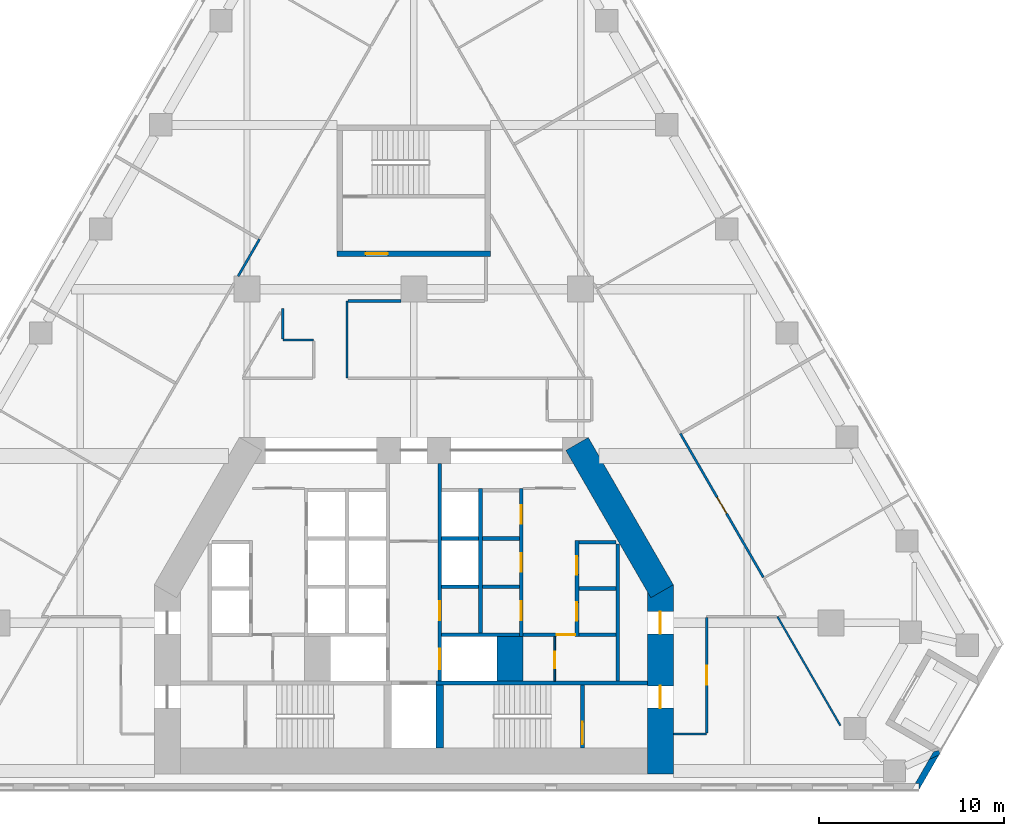
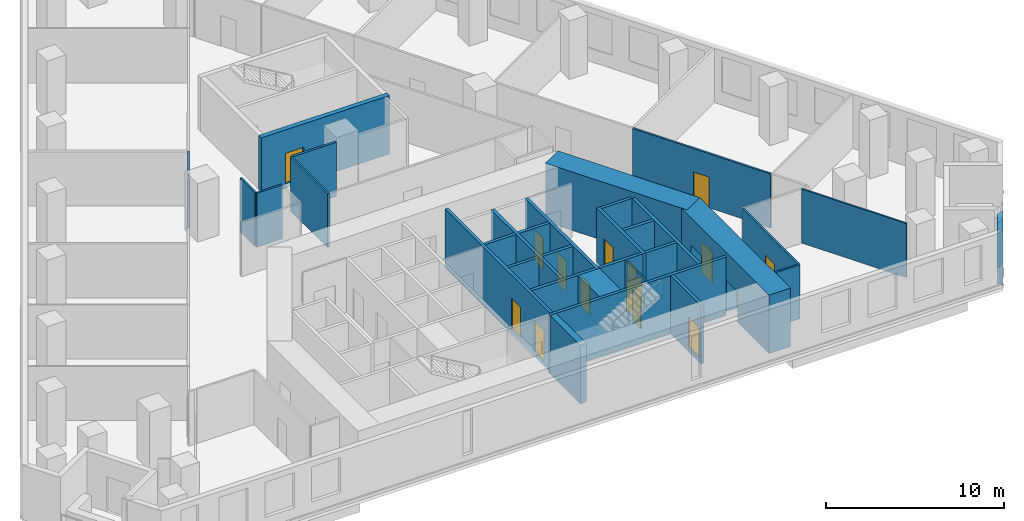
# One storey, part 6 of 11: 33 walls, 15 doors, 15 openings.
"""IFC4 building model written with IfcOpenShell, lengths in metres."""

from ifc_helpers import new_model, si_unit, direction, frame, frame_2d, origin, place, context, subcontext, project, spatial, polyline, rectangle, outline, extrude, material, layer, layer_set, type_object, element, fill, save


model = new_model("IFC4")

# Units and contexts
model_context = context("Model", 3, precision=1e-05, world=origin(), true_north=direction((0.0, 1.0)))
body_context = subcontext(model_context, "Body", "Model", "MODEL_VIEW")
ifc_project = project(units=[si_unit("LENGTHUNIT", "METRE"), si_unit("AREAUNIT", "SQUARE_METRE"), si_unit("VOLUMEUNIT", "CUBIC_METRE"), si_unit("PLANEANGLEUNIT", "RADIAN"), si_unit("MASSUNIT", "GRAM", prefix="KILO")], contexts=[model_context])

# Site, building, storey
site_placement = place(None, origin())
site = spatial("IfcSite", under=ifc_project, at=site_placement, CompositionType="ELEMENT")
building_placement = place(site_placement, origin())
building = spatial("IfcBuilding", under=site, at=building_placement, Name="Fogline Exchange Tower", CompositionType="ELEMENT")
storey_placement = place(building_placement, frame((0.0, 0.0, 60.89990234375)))
storey = spatial("IfcBuildingStorey", under=building, at=storey_placement, Name="L12", CompositionType="ELEMENT", Elevation=60.89990234375)

# Wall, opening, door
ifc_material_1 = material(Name="Blockwork partition", Category="masonry")
ifc_layer_1 = layer(ifc_material_1, 0.10009765625)
ifc_layer_set_1 = layer_set([ifc_layer_1], Name="CW10")
wall_type_1 = type_object("IfcWallType", Name="CW10", PredefinedType="PARTITIONING", material=ifc_layer_set_1)
wall_1_placement = place(storey_placement, frame((7.60009765625, 5.85009765625, 0.0), z_axis=(0.0, 0.0, 1.0), x_axis=(0.0, 1.0, 0.0)))
wall_1 = element("IfcWall", 1, at=wall_1_placement, inside=storey, type_object=wall_type_1, Name="WC partition", PredefinedType="PARTITIONING", context=body_context, shape_type="SweptSolid", body=[
    extrude(rectangle(XDim=2.39990234375, YDim=0.10009765625, at=frame_2d((1.199951171875, 0.0))), origin(), (0.0, 0.0, 1.0), 3.7001953125),
])
opening_1_placement = place(wall_1_placement, frame((0.699951171875, 0.0, 0.0)))
opening_1 = element("IfcOpeningElement", 2, at=opening_1_placement, cuts=wall_1, Name="Opening T03-C015", PredefinedType="OPENING", context=body_context, shape_type="SweptSolid", body=[
    extrude(rectangle(XDim=0.89990234375, YDim=2.10009765625, at=frame_2d((0.449951171875, 1.050048828125))), frame((0.0, 0.06005859375, 0.0), z_axis=(0.0, -1.0, 0.0), x_axis=(1.0, 0.0, 0.0)), (0.0, 0.0, 1.0), 0.1201171875),
])
ifc_material_2 = material(Name="Steel and timber fire door", Category="steel")
door_type_1 = type_object("IfcDoorType", Name="D-CS1", OperationType="SINGLE_SWING_RIGHT", PredefinedType="DOOR", material=ifc_material_2)
door_1_placement = place(opening_1_placement, origin())
door_1 = element("IfcDoor", 3, at=door_1_placement, inside=storey, type_object=door_type_1, Name="Door to Cleaner's Store", OperationType="SINGLE_SWING_LEFT", OverallHeight=2.10009765625, OverallWidth=0.89990234375, PredefinedType="DOOR", context=body_context, shape_type="SweptSolid", body=[
    extrude(rectangle(XDim=0.89990234375, YDim=2.10009765625, at=frame_2d((0.449951171875, 1.050048828125))), frame((0.0, 0.02490234375, 0.0), z_axis=(0.0, -1.0, 0.0), x_axis=(1.0, 0.0, 0.0)), (0.0, 0.0, 1.0), 0.050048828125),
])
fill(opening_1, door_1)

# Walls
ifc_material_3 = material(Name="Concrete C60", Category="concrete")
ifc_layer_2 = layer(ifc_material_3, 1.39990234375)
ifc_layer_set_2 = layer_set([ifc_layer_2], Name="CW140")
wall_type_2 = type_object("IfcWallType", Name="CW140", PredefinedType="SOLIDWALL", material=ifc_layer_set_2)
wall_2_placement = place(storey_placement, frame((5.199951171875, 5.85009765625, -0.2998046875), z_axis=(0.0, 0.0, 1.0), x_axis=(0.0, 1.0, 0.0)))
element("IfcWall", 4, at=wall_2_placement, inside=storey, type_object=wall_type_2, Name="Lift shaft block wall", PredefinedType="SOLIDWALL", context=body_context, shape_type="SweptSolid", body=[
    extrude(rectangle(XDim=2.39990234375, YDim=1.39990234375, at=frame_2d((1.199951171875, 0.0))), origin(), (0.0, 0.0, 1.0), 4.0),
])
ifc_material_4 = material(Name="Concrete C40", Category="concrete")
ifc_layer_3 = layer(ifc_material_4, 0.199951171875)
ifc_layer_set_3 = layer_set([ifc_layer_3], Name="CW20")
wall_type_3 = type_object("IfcWallType", Name="CW20", PredefinedType="SOLIDWALL", material=ifc_layer_set_3)
wall_3_placement = place(storey_placement, frame((11.0, 5.85009765625, 0.0), z_axis=(0.0, 0.0, 1.0), x_axis=(0.0, 1.0, 0.0)))
element("IfcWall", 5, at=wall_3_placement, inside=storey, type_object=wall_type_3, Name="Service room wall", PredefinedType="SOLIDWALL", context=body_context, shape_type="SweptSolid", body=[
    extrude(rectangle(XDim=7.39990234375, YDim=0.199951171875, at=frame_2d((3.699951171875, 0.0))), origin(), (0.0, 0.0, 1.0), 3.7001953125),
])

# Wall, opening, door
wall_4_placement = place(storey_placement, frame((5.89990234375, 8.35009765625, 0.0), z_axis=(0.0, 0.0, 1.0), x_axis=(1.0, 0.0, 0.0)))
wall_4 = element("IfcWall", 6, at=wall_4_placement, inside=storey, type_object=wall_type_3, Name="WC wall", PredefinedType="SOLIDWALL", context=body_context, shape_type="SweptSolid", body=[
    extrude(rectangle(XDim=2.800048828125, YDim=0.199951171875, at=frame_2d((1.39990234375, 0.0))), origin(), (0.0, 0.0, 1.0), 3.7001953125),
])
opening_2_placement = place(wall_4_placement, frame((1.800048828125, 0.0, 0.0)))
opening_2 = element("IfcOpeningElement", 7, at=opening_2_placement, cuts=wall_4, Name="Opening T03-C014", PredefinedType="OPENING", context=body_context, shape_type="SweptSolid", body=[
    extrude(rectangle(XDim=1.0, YDim=2.10009765625, at=frame_2d((0.5, 1.050048828125))), frame((0.0, 0.10986328125, 0.0), z_axis=(0.0, -1.0, 0.0), x_axis=(1.0, 0.0, 0.0)), (0.0, 0.0, 1.0), 0.219970703125),
])
door_type_2 = type_object("IfcDoorType", Name="D-WC1", OperationType="SINGLE_SWING_LEFT", PredefinedType="DOOR", material=ifc_material_2)
door_2_placement = place(opening_2_placement, frame((1.0, 0.0, 0.0), z_axis=(0.0, 0.0, 1.0), x_axis=(-1.0, 0.0, 0.0)))
door_2 = element("IfcDoor", 8, at=door_2_placement, inside=storey, type_object=door_type_2, Name="Door to Women's WC", OperationType="SINGLE_SWING_LEFT", OverallHeight=2.10009765625, OverallWidth=1.0, PredefinedType="DOOR", context=body_context, shape_type="SweptSolid", body=[
    extrude(rectangle(XDim=1.0, YDim=2.10009765625, at=frame_2d((0.5, 1.050048828125))), frame((0.0, 0.02490234375, 0.0), z_axis=(0.0, -1.0, 0.0), x_axis=(1.0, 0.0, 0.0)), (0.0, 0.0, 1.0), 0.050048828125),
])
fill(opening_2, door_2)

# Wall
ifc_layer_4 = layer(ifc_material_4, 0.199951171875)
ifc_layer_set_4 = layer_set([ifc_layer_4], Name="CW20R")
wall_type_4 = type_object("IfcWallType", Name="CW20R", PredefinedType="SOLIDWALL", material=ifc_layer_set_4)
wall_5_placement = place(storey_placement, frame((1.199951171875, 5.75, -0.2998046875), z_axis=(0.0, 0.0, 1.0), x_axis=(1.0, 0.0, 0.0)))
element("IfcWall", 9, at=wall_5_placement, inside=storey, type_object=wall_type_4, Name="Stair enclosure wall", PredefinedType="SOLIDWALL", context=body_context, shape_type="SweptSolid", body=[
    extrude(rectangle(XDim=11.400146484375, YDim=0.199951171875, at=frame_2d((5.7001953125, 0.0))), origin(), (0.0, 0.0, 1.0), 4.0),
])

# Wall, opening, door
wall_6_placement = place(storey_placement, frame((9.10009765625, 2.25, -0.2998046875), z_axis=(0.0, 0.0, 1.0), x_axis=(0.0, 1.0, 0.0)))
wall_6 = element("IfcWall", 10, at=wall_6_placement, inside=storey, type_object=wall_type_4, Name="Stair enclosure wall", PredefinedType="SOLIDWALL", context=body_context, shape_type="SweptSolid", body=[
    extrude(rectangle(XDim=3.39990234375, YDim=0.199951171875, at=frame_2d((1.699951171875, 0.0))), origin(), (0.0, 0.0, 1.0), 4.0),
])
opening_3_placement = place(wall_6_placement, frame((0.199951171875, 0.0, 0.300048828125)))
opening_3 = element("IfcOpeningElement", 11, at=opening_3_placement, cuts=wall_6, Name="Opening T03-C017", PredefinedType="OPENING", context=body_context, shape_type="SweptSolid", body=[
    extrude(rectangle(XDim=1.199951171875, YDim=2.10009765625, at=frame_2d((0.60009765625, 1.050048828125))), frame((0.0, 0.10986328125, 0.0), z_axis=(0.0, -1.0, 0.0), x_axis=(1.0, 0.0, 0.0)), (0.0, 0.0, 1.0), 0.219970703125),
])
door_type_3 = type_object("IfcDoorType", Name="D-ST1", OperationType="SINGLE_SWING_LEFT", PredefinedType="DOOR", material=ifc_material_2)
door_3_placement = place(opening_3_placement, origin())
door_3 = element("IfcDoor", 12, at=door_3_placement, inside=storey, type_object=door_type_3, Name="Stair door ST2", OperationType="SINGLE_SWING_LEFT", OverallHeight=2.10009765625, OverallWidth=1.199951171875, PredefinedType="DOOR", context=body_context, shape_type="SweptSolid", body=[
    extrude(rectangle(XDim=1.199951171875, YDim=2.10009765625, at=frame_2d((0.60009765625, 1.050048828125))), frame((0.0, 0.02490234375, 0.0), z_axis=(0.0, -1.0, 0.0), x_axis=(1.0, 0.0, 0.0)), (0.0, 0.0, 1.0), 0.050048828125),
])
fill(opening_3, door_3)

# Wall, openings, doors
ifc_layer_5 = layer(ifc_material_4, 0.199951171875)
ifc_layer_set_5 = layer_set([ifc_layer_5], Name="CW20S")
wall_type_5 = type_object("IfcWallType", Name="CW20S", PredefinedType="SOLIDWALL", material=ifc_layer_set_5)
wall_7_placement = place(storey_placement, frame((8.800048828125, 8.25, -0.2998046875), z_axis=(0.0, 0.0, 1.0), x_axis=(0.0, 1.0, 0.0)))
wall_7 = element("IfcWall", 13, at=wall_7_placement, inside=storey, type_object=wall_type_5, Name="Lift shaft wall", PredefinedType="SOLIDWALL", context=body_context, shape_type="SweptSolid", body=[
    extrude(rectangle(XDim=5.199951171875, YDim=0.199951171875, at=frame_2d((2.60009765625, 0.0))), origin(), (0.0, 0.0, 1.0), 4.0),
])
opening_4_placement = place(wall_7_placement, frame((0.85009765625, 0.0, 0.300048828125)))
opening_4 = element("IfcOpeningElement", 14, at=opening_4_placement, cuts=wall_7, Name="Opening T03-C001", PredefinedType="OPENING", context=body_context, shape_type="SweptSolid", body=[
    extrude(rectangle(XDim=1.0, YDim=2.10009765625, at=frame_2d((0.5, 1.050048828125))), frame((0.0, 0.10986328125, 0.0), z_axis=(0.0, -1.0, 0.0), x_axis=(1.0, 0.0, 0.0)), (0.0, 0.0, 1.0), 0.219970703125),
])
opening_5_placement = place(wall_7_placement, frame((3.35009765625, 0.0, 0.300048828125)))
opening_5 = element("IfcOpeningElement", 15, at=opening_5_placement, cuts=wall_7, Name="Opening T03-C002", PredefinedType="OPENING", context=body_context, shape_type="SweptSolid", body=[
    extrude(rectangle(XDim=1.0, YDim=2.10009765625, at=frame_2d((0.5, 1.050048828125))), frame((0.0, 0.10986328125, 0.0), z_axis=(0.0, -1.0, 0.0), x_axis=(1.0, 0.0, 0.0)), (0.0, 0.0, 1.0), 0.219970703125),
])
door_type_4 = type_object("IfcDoorType", Name="D-RM1", OperationType="SINGLE_SWING_LEFT", PredefinedType="DOOR", material=ifc_material_2)
door_4_placement = place(opening_4_placement, frame((1.0, 0.0, 0.0), z_axis=(0.0, 0.0, 1.0), x_axis=(-1.0, 0.0, 0.0)))
door_4 = element("IfcDoor", 16, at=door_4_placement, inside=storey, type_object=door_type_4, Name="Door to Library Store", OperationType="SINGLE_SWING_LEFT", OverallHeight=2.10009765625, OverallWidth=1.0, PredefinedType="DOOR", context=body_context, shape_type="SweptSolid", body=[
    extrude(rectangle(XDim=1.0, YDim=2.10009765625, at=frame_2d((0.5, 1.050048828125))), frame((0.0, 0.02490234375, 0.0), z_axis=(0.0, -1.0, 0.0), x_axis=(1.0, 0.0, 0.0)), (0.0, 0.0, 1.0), 0.050048828125),
])
fill(opening_4, door_4)
door_5_placement = place(opening_5_placement, frame((1.0, 0.0, 0.0), z_axis=(0.0, 0.0, 1.0), x_axis=(-1.0, 0.0, 0.0)))
door_5 = element("IfcDoor", 17, at=door_5_placement, inside=storey, type_object=door_type_4, Name="Door to Stationery Store", OperationType="SINGLE_SWING_LEFT", OverallHeight=2.10009765625, OverallWidth=1.0, PredefinedType="DOOR", context=body_context, shape_type="SweptSolid", body=[
    extrude(rectangle(XDim=1.0, YDim=2.10009765625, at=frame_2d((0.5, 1.050048828125))), frame((0.0, 0.02490234375, 0.0), z_axis=(0.0, -1.0, 0.0), x_axis=(1.0, 0.0, 0.0)), (0.0, 0.0, 1.0), 0.050048828125),
])
fill(opening_5, door_5)

wall_8_placement = place(storey_placement, frame((5.800048828125, 8.25, -0.2998046875), z_axis=(0.0, 0.0, 1.0), x_axis=(0.0, 1.0, 0.0)))
wall_8 = element("IfcWall", 18, at=wall_8_placement, inside=storey, type_object=wall_type_5, Name="Lift shaft wall", PredefinedType="SOLIDWALL", context=body_context, shape_type="SweptSolid", body=[
    extrude(rectangle(XDim=8.0, YDim=0.199951171875, at=frame_2d((4.0, 0.0))), origin(), (0.0, 0.0, 1.0), 4.0),
])
opening_6_placement = place(wall_8_placement, frame((0.89990234375, 0.0, 0.300048828125)))
opening_6 = element("IfcOpeningElement", 19, at=opening_6_placement, cuts=wall_8, Name="Opening T03-C003", PredefinedType="OPENING", context=body_context, shape_type="SweptSolid", body=[
    extrude(rectangle(XDim=1.0, YDim=2.10009765625, at=frame_2d((0.5, 1.050048828125))), frame((0.0, 0.10986328125, 0.0), z_axis=(0.0, -1.0, 0.0), x_axis=(1.0, 0.0, 0.0)), (0.0, 0.0, 1.0), 0.219970703125),
])
opening_7_placement = place(wall_8_placement, frame((3.5, 0.0, 0.300048828125)))
opening_7 = element("IfcOpeningElement", 20, at=opening_7_placement, cuts=wall_8, Name="Opening T03-C004", PredefinedType="OPENING", context=body_context, shape_type="SweptSolid", body=[
    extrude(rectangle(XDim=1.0, YDim=2.10009765625, at=frame_2d((0.5, 1.050048828125))), frame((0.0, 0.10986328125, 0.0), z_axis=(0.0, -1.0, 0.0), x_axis=(1.0, 0.0, 0.0)), (0.0, 0.0, 1.0), 0.219970703125),
])
opening_8_placement = place(wall_8_placement, frame((6.10009765625, 0.0, 0.300048828125)))
opening_8 = element("IfcOpeningElement", 21, at=opening_8_placement, cuts=wall_8, Name="Opening T03-C005", PredefinedType="OPENING", context=body_context, shape_type="SweptSolid", body=[
    extrude(rectangle(XDim=1.0, YDim=2.10009765625, at=frame_2d((0.5, 1.050048828125))), frame((0.0, 0.10986328125, 0.0), z_axis=(0.0, -1.0, 0.0), x_axis=(1.0, 0.0, 0.0)), (0.0, 0.0, 1.0), 0.219970703125),
])
door_6_placement = place(opening_6_placement, origin())
door_6 = element("IfcDoor", 22, at=door_6_placement, inside=storey, type_object=door_type_4, Name="Door to Records Store", OperationType="SINGLE_SWING_RIGHT", OverallHeight=2.10009765625, OverallWidth=1.0, PredefinedType="DOOR", context=body_context, shape_type="SweptSolid", body=[
    extrude(rectangle(XDim=1.0, YDim=2.10009765625, at=frame_2d((0.5, 1.050048828125))), frame((0.0, 0.02490234375, 0.0), z_axis=(0.0, -1.0, 0.0), x_axis=(1.0, 0.0, 0.0)), (0.0, 0.0, 1.0), 0.050048828125),
])
fill(opening_6, door_6)
door_7_placement = place(opening_7_placement, origin())
door_7 = element("IfcDoor", 23, at=door_7_placement, inside=storey, type_object=door_type_4, Name="Door to Riser Room", OperationType="SINGLE_SWING_LEFT", OverallHeight=2.10009765625, OverallWidth=1.0, PredefinedType="DOOR", context=body_context, shape_type="SweptSolid", body=[
    extrude(rectangle(XDim=1.0, YDim=2.10009765625, at=frame_2d((0.5, 1.050048828125))), frame((0.0, 0.02490234375, 0.0), z_axis=(0.0, -1.0, 0.0), x_axis=(1.0, 0.0, 0.0)), (0.0, 0.0, 1.0), 0.050048828125),
])
fill(opening_7, door_7)
door_8_placement = place(opening_8_placement, origin())
door_8 = element("IfcDoor", 24, at=door_8_placement, inside=storey, type_object=door_type_4, Name="Door to Plant Room", OperationType="SINGLE_SWING_LEFT", OverallHeight=2.10009765625, OverallWidth=1.0, PredefinedType="DOOR", context=body_context, shape_type="SweptSolid", body=[
    extrude(rectangle(XDim=1.0, YDim=2.10009765625, at=frame_2d((0.5, 1.050048828125))), frame((0.0, 0.02490234375, 0.0), z_axis=(0.0, -1.0, 0.0), x_axis=(1.0, 0.0, 0.0)), (0.0, 0.0, 1.0), 0.050048828125),
])
fill(opening_8, door_8)

# Wall
wall_9_placement = place(storey_placement, frame((3.60009765625, 8.449951171875, -0.2998046875), z_axis=(0.0, 0.0, 1.0), x_axis=(0.0, 1.0, 0.0)))
element("IfcWall", 25, at=wall_9_placement, inside=storey, type_object=wall_type_5, Name="Lift shaft wall", PredefinedType="SOLIDWALL", context=body_context, shape_type="SweptSolid", body=[
    extrude(rectangle(XDim=7.800048828125, YDim=0.199951171875, at=frame_2d((3.89990234375, 0.0))), origin(), (0.0, 0.0, 1.0), 4.0),
])

# Wall, openings, doors
wall_10_placement = place(storey_placement, frame((1.39990234375, 5.85009765625, -0.2998046875), z_axis=(0.0, 0.0, 1.0), x_axis=(0.0, 1.0, 0.0)))
wall_10 = element("IfcWall", 26, at=wall_10_placement, inside=storey, type_object=wall_type_5, Name="Lift lobby wall", PredefinedType="SOLIDWALL", context=body_context, shape_type="SweptSolid", body=[
    extrude(rectangle(XDim=11.75, YDim=0.199951171875, at=frame_2d((5.875, 0.0))), origin(), (0.0, 0.0, 1.0), 4.0),
])
opening_9_placement = place(wall_10_placement, frame((0.64990234375, 0.0, 0.300048828125)))
opening_9 = element("IfcOpeningElement", 27, at=opening_9_placement, cuts=wall_10, Name="Opening T03-LD08", PredefinedType="OPENING", context=body_context, shape_type="SweptSolid", body=[
    extrude(rectangle(XDim=1.10009765625, YDim=2.10009765625, at=frame_2d((0.550048828125, 1.050048828125))), frame((0.0, 0.10986328125, 0.0), z_axis=(0.0, -1.0, 0.0), x_axis=(1.0, 0.0, 0.0)), (0.0, 0.0, 1.0), 0.219970703125),
])
opening_10_placement = place(wall_10_placement, frame((3.300048828125, 0.0, 0.300048828125)))
opening_10 = element("IfcOpeningElement", 28, at=opening_10_placement, cuts=wall_10, Name="Opening T03-C006", PredefinedType="OPENING", context=body_context, shape_type="SweptSolid", body=[
    extrude(rectangle(XDim=1.0, YDim=2.10009765625, at=frame_2d((0.5, 1.050048828125))), frame((0.0, 0.10986328125, 0.0), z_axis=(0.0, -1.0, 0.0), x_axis=(1.0, 0.0, 0.0)), (0.0, 0.0, 1.0), 0.219970703125),
])
door_9_placement = place(opening_10_placement, frame((1.0, 0.0, 0.0), z_axis=(0.0, 0.0, 1.0), x_axis=(-1.0, 0.0, 0.0)))
door_9 = element("IfcDoor", 29, at=door_9_placement, inside=storey, type_object=door_type_4, Name="Door to Cable Store", OperationType="SINGLE_SWING_RIGHT", OverallHeight=2.10009765625, OverallWidth=1.0, PredefinedType="DOOR", context=body_context, shape_type="SweptSolid", body=[
    extrude(rectangle(XDim=1.0, YDim=2.10009765625, at=frame_2d((0.5, 1.050048828125))), frame((0.0, 0.02490234375, 0.0), z_axis=(0.0, -1.0, 0.0), x_axis=(1.0, 0.0, 0.0)), (0.0, 0.0, 1.0), 0.050048828125),
])
fill(opening_10, door_9)
door_type_5 = type_object("IfcDoorType", Name="LD2", OperationType="SLIDING_TO_RIGHT", PredefinedType="DOOR", material=ifc_material_2)
door_10_placement = place(opening_9_placement, origin())
door_10 = element("IfcDoor", 30, at=door_10_placement, inside=storey, type_object=door_type_5, Name="Landing door FF2", OperationType="SLIDING_TO_RIGHT", OverallHeight=2.10009765625, OverallWidth=1.10009765625, PredefinedType="DOOR", context=body_context, shape_type="SweptSolid", body=[
    extrude(rectangle(XDim=1.10009765625, YDim=2.10009765625, at=frame_2d((0.550048828125, 1.050048828125))), frame((0.0, 0.02490234375, 0.0), z_axis=(0.0, -1.0, 0.0), x_axis=(1.0, 0.0, 0.0)), (0.0, 0.0, 1.0), 0.050048828125),
])
fill(opening_9, door_10)

# Walls
wall_11_placement = place(storey_placement, frame((8.89990234375, 8.35009765625, -0.2998046875), z_axis=(0.0, 0.0, 1.0), x_axis=(1.0, 0.0, 0.0)))
element("IfcWall", 31, at=wall_11_placement, inside=storey, type_object=wall_type_5, Name="Lift shaft wall", PredefinedType="SOLIDWALL", context=body_context, shape_type="SweptSolid", body=[
    extrude(rectangle(XDim=2.0, YDim=0.199951171875, at=frame_2d((1.0, 0.0))), origin(), (0.0, 0.0, 1.0), 4.0),
])
wall_12_placement = place(storey_placement, frame((1.5, 8.35009765625, -0.2998046875), z_axis=(0.0, 0.0, 1.0), x_axis=(1.0, 0.0, 0.0)))
element("IfcWall", 32, at=wall_12_placement, inside=storey, type_object=wall_type_5, Name="Lift shaft wall", PredefinedType="SOLIDWALL", context=body_context, shape_type="SweptSolid", body=[
    extrude(rectangle(XDim=4.199951171875, YDim=0.199951171875, at=frame_2d((2.10009765625, 0.0))), origin(), (0.0, 0.0, 1.0), 4.0),
])
for number, where, z_axis, x_axis, name in (
    (33, (8.89990234375, 10.85009765625, -0.2998046875), (0.0, 0.0, 1.0), (1.0, 0.0, 0.0), "Lift shaft wall"),
    (34, (8.89990234375, 13.35009765625, -0.2998046875), (0.0, 0.0, 1.0), (1.0, 0.0, 0.0), "Lift shaft wall"),
    (35, (3.699951171875, 10.949951171875, -0.2998046875), (0.0, 0.0, 1.0), (1.0, 0.0, 0.0), "Lift shaft wall"),
    (36, (3.699951171875, 13.550048828125, -0.2998046875), (0.0, 0.0, 1.0), (1.0, 0.0, 0.0), "Lift shaft wall"),
    (37, (1.5, 10.949951171875, -0.2998046875), (0.0, 0.0, 1.0), (1.0, 0.0, 0.0), "Lift shaft wall"),
    (38, (1.5, 13.550048828125, -0.2998046875), (0.0, 0.0, 1.0), (1.0, 0.0, 0.0), "Lift shaft wall"),
):
    element("IfcWall", number, at=place(storey_placement, frame(where, z_axis=z_axis, x_axis=x_axis)), inside=storey, type_object=wall_type_5, Name=name, PredefinedType="SOLIDWALL", context=body_context, shape_type="SweptSolid", body=[
        extrude(rectangle(XDim=2.0, YDim=0.199951171875, at=frame_2d((1.0, 0.0))), origin(), (0.0, 0.0, 1.0), 4.0),
    ])

# Wall, opening, door
ifc_layer_6 = layer(ifc_material_4, 0.300048828125)
ifc_layer_set_6 = layer_set([ifc_layer_6], Name="CW30")
wall_type_6 = type_object("IfcWallType", Name="CW30", PredefinedType="SOLIDWALL", material=ifc_layer_set_6)
wall_13_placement = place(storey_placement, frame((-4.14990234375, 28.906982421875, -0.2998046875), z_axis=(0.0, 0.0, 1.0), x_axis=(1.0, 0.0, 0.0)))
wall_13 = element("IfcWall", 39, at=wall_13_placement, inside=storey, type_object=wall_type_6, Name="Stair enclosure wall ST3", PredefinedType="SOLIDWALL", context=body_context, shape_type="SweptSolid", body=[
    extrude(rectangle(XDim=8.2998046875, YDim=0.300048828125, at=frame_2d((4.14990234375, 0.0))), origin(), (0.0, 0.0, 1.0), 4.0),
])
opening_11_placement = place(wall_13_placement, frame((1.550048828125, 0.0, 0.300048828125)))
opening_11 = element("IfcOpeningElement", 40, at=opening_11_placement, cuts=wall_13, Name="Opening T03-C023", PredefinedType="OPENING", context=body_context, shape_type="SweptSolid", body=[
    extrude(rectangle(XDim=1.199951171875, YDim=2.10009765625, at=frame_2d((0.60009765625, 1.050048828125))), frame((0.0, 0.16015625, 0.0), z_axis=(0.0, -1.0, 0.0), x_axis=(1.0, 0.0, 0.0)), (0.0, 0.0, 1.0), 0.320068359375),
])
door_type_6 = type_object("IfcDoorType", Name="D-FR1", OperationType="SINGLE_SWING_RIGHT", PredefinedType="DOOR", material=ifc_material_2)
door_11_placement = place(opening_11_placement, origin())
door_11 = element("IfcDoor", 41, at=door_11_placement, inside=storey, type_object=door_type_6, Name="Front room door ST3", OperationType="SINGLE_SWING_LEFT", OverallHeight=2.10009765625, OverallWidth=1.199951171875, PredefinedType="DOOR", context=body_context, shape_type="SweptSolid", body=[
    extrude(rectangle(XDim=1.199951171875, YDim=2.10009765625, at=frame_2d((0.60009765625, 1.050048828125))), frame((0.0, 0.02490234375, 0.0), z_axis=(0.0, -1.0, 0.0), x_axis=(1.0, 0.0, 0.0)), (0.0, 0.0, 1.0), 0.050048828125),
])
fill(opening_11, door_11)

# Walls
ifc_layer_7 = layer(ifc_material_4, 0.39990234375)
ifc_layer_set_7 = layer_set([ifc_layer_7], Name="CW40R")
wall_type_7 = type_object("IfcWallType", Name="CW40R", PredefinedType="SOLIDWALL", material=ifc_layer_set_7)
wall_14_placement = place(storey_placement, frame((1.39990234375, 2.25, -0.2998046875), z_axis=(0.0, 0.0, 1.0), x_axis=(0.0, 1.0, 0.0)))
element("IfcWall", 42, at=wall_14_placement, inside=storey, type_object=wall_type_7, Name="Stair and lift shaft wall", PredefinedType="SOLIDWALL", context=body_context, shape_type="SweptSolid", body=[
    extrude(rectangle(XDim=3.39990234375, YDim=0.39990234375, at=frame_2d((1.699951171875, 0.0))), origin(), (0.0, 0.0, 1.0), 4.0),
])
ifc_material_5 = material(Name="Brick masonry", Category="masonry")
ifc_layer_8 = layer(ifc_material_5, 0.340087890625)
ifc_layer_set_8 = layer_set([ifc_layer_8], Name="FW1")
wall_type_8 = type_object("IfcWallType", Name="FW1", PredefinedType="SOLIDWALL", material=ifc_layer_set_8)
wall_15_placement = place(storey_placement, origin())
element("IfcWall", 43, at=wall_15_placement, inside=storey, type_object=wall_type_8, Name="Brick wall L12 SE-c1", PredefinedType="SOLIDWALL", context=body_context, shape_type="SweptSolid", body=[
    extrude(outline(polyline([(28.334716796875, 1.86865234375), (27.80126953125, 1.626953125), (28.040283203125, 2.041015625), (28.319580078125, 2.115966796875), (28.388916015625, 1.962646484375), (28.334716796875, 1.86865234375)])), origin(), (0.0, 0.0, 1.0), 3.10009765625),
])
wall_16_placement = place(storey_placement, origin())
element("IfcWall", 44, at=wall_16_placement, inside=storey, type_object=wall_type_8, Name="Brick wall L12 SE-c1", PredefinedType="SOLIDWALL", context=body_context, shape_type="SweptSolid", body=[
    extrude(outline(polyline([(27.255126953125, -0.001220703125), (27.254638671875, -0.0009765625), (27.254638671875, 0.33935546875), (27.057861328125, 0.33935546875), (27.80126953125, 1.626953125), (28.334716796875, 1.86865234375), (27.255126953125, -0.001220703125)])), origin(), (0.0, 0.0, 1.0), 3.7001953125),
])
ifc_material_6 = material(Name="Plasterboard partition, 2 layers each side on steel studs", Category="steel")
ifc_layer_9 = layer(ifc_material_6, 0.10009765625)
ifc_layer_set_9 = layer_set([ifc_layer_9], Name="PW1")
wall_type_9 = type_object("IfcWallType", Name="PW1", PredefinedType="PARTITIONING", material=ifc_layer_set_9)
wall_17_placement = place(storey_placement, frame((19.615966796875, 9.340087890625, 0.0), z_axis=(0.0, 0.0, 1.0), x_axis=(0.499992018036, -0.866030012124, 0.0)))
element("IfcWall", 45, at=wall_17_placement, inside=storey, type_object=wall_type_9, Name="wall-L12-W055", PredefinedType="PARTITIONING", context=body_context, shape_type="SweptSolid", body=[
    extrude(rectangle(XDim=6.79443359375, YDim=0.10009765625, at=frame_2d((3.397216796875, 0.0))), origin(), (0.0, 0.0, 1.0), 3.7001953125),
])

# Wall, opening, door
ifc_material_7 = material(Name="Plasterboard corridor partition with mineral wool, 2 layers each side")
ifc_layer_10 = layer(ifc_material_7, 0.125)
ifc_layer_set_10 = layer_set([ifc_layer_10], Name="PW2")
wall_type_10 = type_object("IfcWallType", Name="PW2", PredefinedType="PARTITIONING", material=ifc_layer_set_10)
wall_18_placement = place(storey_placement, frame((15.800048828125, 9.277587890625, 0.0), z_axis=(0.0, 0.0, 1.0), x_axis=(0.0, -1.0, 0.0)))
wall_18 = element("IfcWall", 46, at=wall_18_placement, inside=storey, type_object=wall_type_10, Name="wall-L12-W001", PredefinedType="PARTITIONING", context=body_context, shape_type="SweptSolid", body=[
    extrude(rectangle(XDim=6.215087890625, YDim=0.125, at=frame_2d((3.107421875, 0.0))), origin(), (0.0, 0.0, 1.0), 3.7001953125),
])
opening_12_placement = place(wall_18_placement, frame((2.607421875, 0.0, 0.0)))
opening_12 = element("IfcOpeningElement", 47, at=opening_12_placement, cuts=wall_18, Name="Opening T03-D001", PredefinedType="OPENING", context=body_context, shape_type="SweptSolid", body=[
    extrude(rectangle(XDim=1.0, YDim=2.10009765625, at=frame_2d((0.5, 1.050048828125))), frame((0.0, 0.072509765625, 0.0), z_axis=(0.0, -1.0, 0.0), x_axis=(1.0, 0.0, 0.0)), (0.0, 0.0, 1.0), 0.14501953125),
])
ifc_material_8 = material(Name="Fire-rated timber door leaf with steel frame", Category="steel")
door_type_7 = type_object("IfcDoorType", Name="D3", OperationType="SINGLE_SWING_LEFT", PredefinedType="DOOR", material=ifc_material_8)
door_12_placement = place(opening_12_placement, origin())
door_12 = element("IfcDoor", 48, at=door_12_placement, inside=storey, type_object=door_type_7, Name="door-L12-D001", OperationType="SINGLE_SWING_LEFT", OverallHeight=2.10009765625, OverallWidth=1.0, PredefinedType="DOOR", context=body_context, shape_type="SweptSolid", body=[
    extrude(rectangle(XDim=1.0, YDim=2.10009765625, at=frame_2d((0.5, 1.050048828125))), frame((0.0, 0.02490234375, 0.0), z_axis=(0.0, -1.0, 0.0), x_axis=(1.0, 0.0, 0.0)), (0.0, 0.0, 1.0), 0.050048828125),
])
fill(opening_12, door_12)

# Walls
wall_19_placement = place(storey_placement, frame((15.800048828125, 3.0, 0.0), z_axis=(0.0, 0.0, 1.0), x_axis=(-1.0, 0.0, 0.0)))
element("IfcWall", 49, at=wall_19_placement, inside=storey, type_object=wall_type_10, Name="wall-L12-W002", PredefinedType="PARTITIONING", context=body_context, shape_type="SweptSolid", body=[
    extrude(rectangle(XDim=1.800048828125, YDim=0.125, at=frame_2d((0.89990234375, 0.0))), origin(), (0.0, 0.0, 1.0), 3.7001953125),
])
wall_20_placement = place(storey_placement, frame((-9.477783203125, 27.699951171875, 0.0), z_axis=(0.0, 0.0, 1.0), x_axis=(0.500030792419, 0.866007625043, 0.0)))
element("IfcWall", 50, at=wall_20_placement, inside=storey, type_object=wall_type_10, Name="wall-L12-W021", PredefinedType="PARTITIONING", context=body_context, shape_type="SweptSolid", body=[
    extrude(rectangle(XDim=2.307373046875, YDim=0.125, at=frame_2d((1.15380859375, 0.0))), origin(), (0.0, 0.0, 1.0), 3.7001953125),
])

# Wall, opening, door
wall_21_placement = place(storey_placement, frame((14.381591796875, 19.206298828125, 0.0), z_axis=(0.0, 0.0, 1.0), x_axis=(0.49998850867, -0.866032038205, 0.0)))
wall_21 = element("IfcWall", 51, at=wall_21_placement, inside=storey, type_object=wall_type_10, Name="wall-L12-W031", PredefinedType="PARTITIONING", context=body_context, shape_type="SweptSolid", body=[
    extrude(rectangle(XDim=8.949462890625, YDim=0.125, at=frame_2d((4.474609375, 0.0))), origin(), (0.0, 0.0, 1.0), 3.7001953125),
])
opening_13_placement = place(wall_21_placement, frame((3.974609375, 0.0, 0.0)))
opening_13 = element("IfcOpeningElement", 52, at=opening_13_placement, cuts=wall_21, Name="Opening T03-D017", PredefinedType="OPENING", context=body_context, shape_type="SweptSolid", body=[
    extrude(rectangle(XDim=1.0, YDim=2.10009765625, at=frame_2d((0.5, 1.050048828125))), frame((0.0, 0.072509765625, 0.0), z_axis=(0.0, -1.0, 0.0), x_axis=(1.0, 0.0, 0.0)), (0.0, 0.0, 1.0), 0.14501953125),
])
door_13_placement = place(opening_13_placement, origin())
door_13 = element("IfcDoor", 53, at=door_13_placement, inside=storey, type_object=door_type_7, Name="door-L12-D017", OperationType="SINGLE_SWING_LEFT", OverallHeight=2.10009765625, OverallWidth=1.0, PredefinedType="DOOR", context=body_context, shape_type="SweptSolid", body=[
    extrude(rectangle(XDim=1.0, YDim=2.10009765625, at=frame_2d((0.5, 1.050048828125))), frame((0.0, 0.02490234375, 0.0), z_axis=(0.0, -1.0, 0.0), x_axis=(1.0, 0.0, 0.0)), (0.0, 0.0, 1.0), 0.050048828125),
])
fill(opening_13, door_13)

# Walls
wall_22_placement = place(storey_placement, frame((-5.39990234375, 24.257080078125, 0.0), z_axis=(0.0, 0.0, 1.0), x_axis=(-1.0, 0.0, 0.0)))
element("IfcWall", 54, at=wall_22_placement, inside=storey, type_object=wall_type_10, Name="wall-L12-W035", PredefinedType="PARTITIONING", context=body_context, shape_type="SweptSolid", body=[
    extrude(rectangle(XDim=1.669921875, YDim=0.125, at=frame_2d((0.8349609375, 0.0))), origin(), (0.0, 0.0, 1.0), 3.7001953125),
])
wall_23_placement = place(storey_placement, frame((-7.06982421875, 24.319580078125, 0.0), z_axis=(0.0, 0.0, 1.0), x_axis=(0.0, 1.0, 0.0)))
element("IfcWall", 55, at=wall_23_placement, inside=storey, type_object=wall_type_10, Name="wall-L12-W036", PredefinedType="PARTITIONING", context=body_context, shape_type="SweptSolid", body=[
    extrude(rectangle(XDim=1.65087890625, YDim=0.125, at=frame_2d((0.825439453125, 0.0))), origin(), (0.0, 0.0, 1.0), 3.7001953125),
])
wall_24_placement = place(storey_placement, frame((-3.60009765625, 26.35693359375, 0.0), z_axis=(0.0, 0.0, 1.0), x_axis=(0.0, -1.0, 0.0)))
element("IfcWall", 56, at=wall_24_placement, inside=storey, type_object=wall_type_10, Name="wall-L12-W037", PredefinedType="PARTITIONING", context=body_context, shape_type="SweptSolid", body=[
    extrude(rectangle(XDim=4.156982421875, YDim=0.125, at=frame_2d((2.07861328125, 0.0))), origin(), (0.0, 0.0, 1.0), 3.7001953125),
])
ifc_material_9 = material(Name="Plasterboard stair lobby partition, 3 layers each side on steel studs", Category="steel")
ifc_layer_11 = layer(ifc_material_9, 0.14990234375)
ifc_layer_set_11 = layer_set([ifc_layer_11], Name="PW4")
wall_type_11 = type_object("IfcWallType", Name="PW4", PredefinedType="PARTITIONING", material=ifc_layer_set_11)
wall_25_placement = place(storey_placement, frame((-0.699951171875, 26.35693359375, 0.0), z_axis=(0.0, 0.0, 1.0), x_axis=(-1.0, 0.0, 0.0)))
element("IfcWall", 57, at=wall_25_placement, inside=storey, type_object=wall_type_11, Name="wall-L12-W034", PredefinedType="PARTITIONING", context=body_context, shape_type="SweptSolid", body=[
    extrude(rectangle(XDim=2.837646484375, YDim=0.14990234375, at=frame_2d((1.4189453125, 0.0))), origin(), (0.0, 0.0, 1.0), 3.7001953125),
])

# Wall, openings, doors
ifc_layer_12 = layer(ifc_material_3, 1.39990234375)
ifc_layer_set_12 = layer_set([ifc_layer_12], Name="SW01")
wall_type_12 = type_object("IfcWallType", Name="SW01", PredefinedType="SHEAR", material=ifc_layer_set_12)
wall_26_placement = place(storey_placement, frame((13.300048828125, 0.85009765625, 0.0), z_axis=(0.0, 0.0, 1.0), x_axis=(0.0, 1.0, 0.0)))
wall_26 = element("IfcWall", 58, at=wall_26_placement, inside=storey, type_object=wall_type_12, Name="L12-W902", PredefinedType="SHEAR", context=body_context, shape_type="SweptSolid", body=[
    extrude(rectangle(XDim=10.202392578125, YDim=1.39990234375, at=frame_2d((5.10107421875, 0.0))), origin(), (0.0, 0.0, 1.0), 4.0),
])
opening_14_placement = place(wall_26_placement, frame((3.550048828125, 0.0, 0.0)))
opening_14 = element("IfcOpeningElement", 59, at=opening_14_placement, cuts=wall_26, Name="Opening T03-C016", PredefinedType="OPENING", context=body_context, shape_type="SweptSolid", body=[
    extrude(rectangle(XDim=1.199951171875, YDim=2.10009765625, at=frame_2d((0.60009765625, 1.050048828125))), frame((0.0, 0.7099609375, 0.0), z_axis=(0.0, -1.0, 0.0), x_axis=(1.0, 0.0, 0.0)), (0.0, 0.0, 1.0), 1.419921875),
])
opening_15_placement = place(wall_26_placement, frame((7.550048828125, 0.0, 0.0)))
opening_15 = element("IfcOpeningElement", 60, at=opening_15_placement, cuts=wall_26, Name="Opening T03-C018", PredefinedType="OPENING", context=body_context, shape_type="SweptSolid", body=[
    extrude(rectangle(XDim=1.199951171875, YDim=2.10009765625, at=frame_2d((0.60009765625, 1.050048828125))), frame((0.0, 0.7099609375, 0.0), z_axis=(0.0, -1.0, 0.0), x_axis=(1.0, 0.0, 0.0)), (0.0, 0.0, 1.0), 1.419921875),
])
door_14_placement = place(opening_14_placement, origin())
door_14 = element("IfcDoor", 61, at=door_14_placement, inside=storey, type_object=door_type_6, Name="Front room door ST2", OperationType="SINGLE_SWING_RIGHT", OverallHeight=2.10009765625, OverallWidth=1.199951171875, PredefinedType="DOOR", context=body_context, shape_type="SweptSolid", body=[
    extrude(rectangle(XDim=1.199951171875, YDim=2.10009765625, at=frame_2d((0.60009765625, 1.050048828125))), frame((0.0, 0.02490234375, 0.0), z_axis=(0.0, -1.0, 0.0), x_axis=(1.0, 0.0, 0.0)), (0.0, 0.0, 1.0), 0.050048828125),
])
fill(opening_14, door_14)
door_type_8 = type_object("IfcDoorType", Name="D-SV1", OperationType="SINGLE_SWING_LEFT", PredefinedType="DOOR", material=ifc_material_2)
door_15_placement = place(opening_15_placement, origin())
door_15 = element("IfcDoor", 62, at=door_15_placement, inside=storey, type_object=door_type_8, Name="Service door E", OperationType="SINGLE_SWING_RIGHT", OverallHeight=2.10009765625, OverallWidth=1.199951171875, PredefinedType="DOOR", context=body_context, shape_type="SweptSolid", body=[
    extrude(rectangle(XDim=1.199951171875, YDim=2.10009765625, at=frame_2d((0.60009765625, 1.050048828125))), frame((0.0, 0.02490234375, 0.0), z_axis=(0.0, -1.0, 0.0), x_axis=(1.0, 0.0, 0.0)), (0.0, 0.0, 1.0), 0.050048828125),
])
fill(opening_15, door_15)

# Wall
wall_27_placement = place(storey_placement, frame((13.393798828125, 10.70263671875, 0.0), z_axis=(0.0, 0.0, 1.0), x_axis=(-0.50000187635, 0.866024320471, 0.0)))
element("IfcWall", 63, at=wall_27_placement, inside=storey, type_object=wall_type_12, Name="L12-W903", PredefinedType="SHEAR", context=body_context, shape_type="SweptSolid", body=[
    extrude(rectangle(XDim=9.1767578125, YDim=1.39990234375, at=frame_2d((4.58837890625, 0.0))), origin(), (0.0, 0.0, 1.0), 4.0),
])

save(model, "model.ifc")
